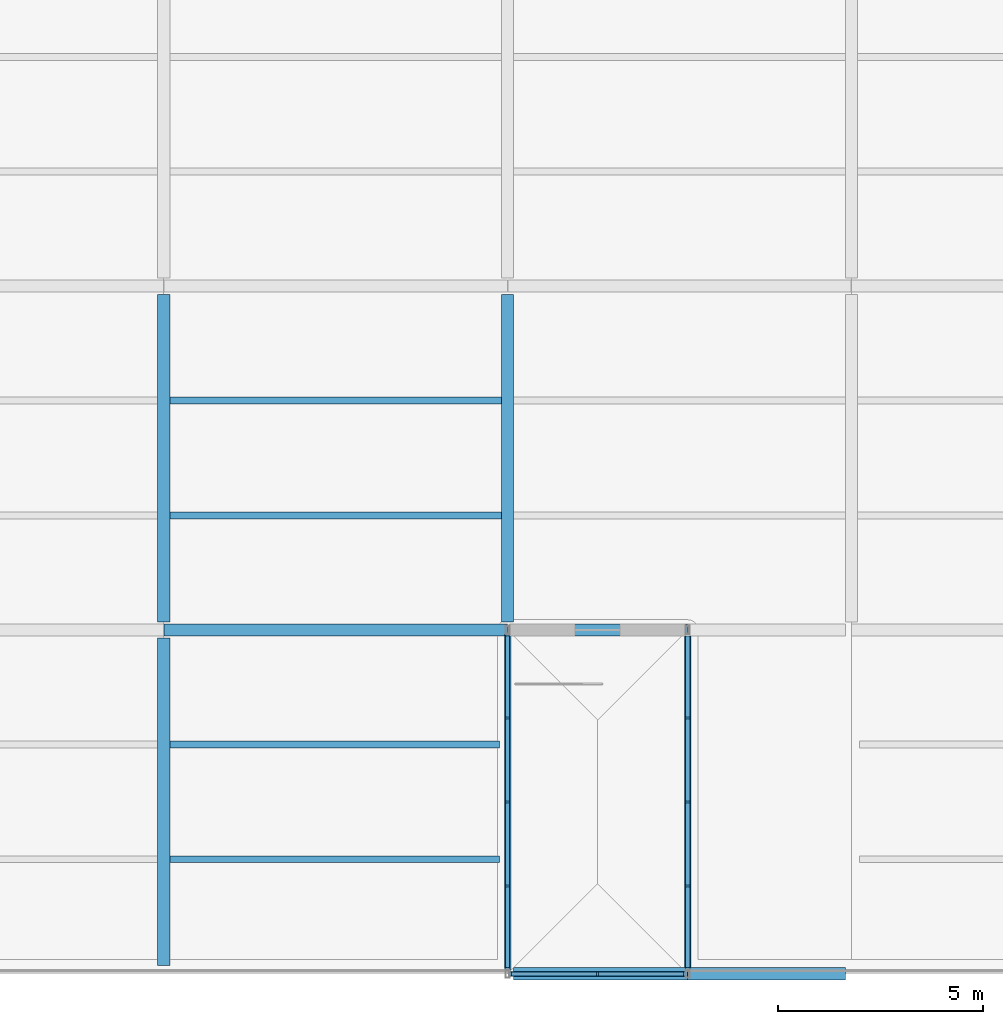
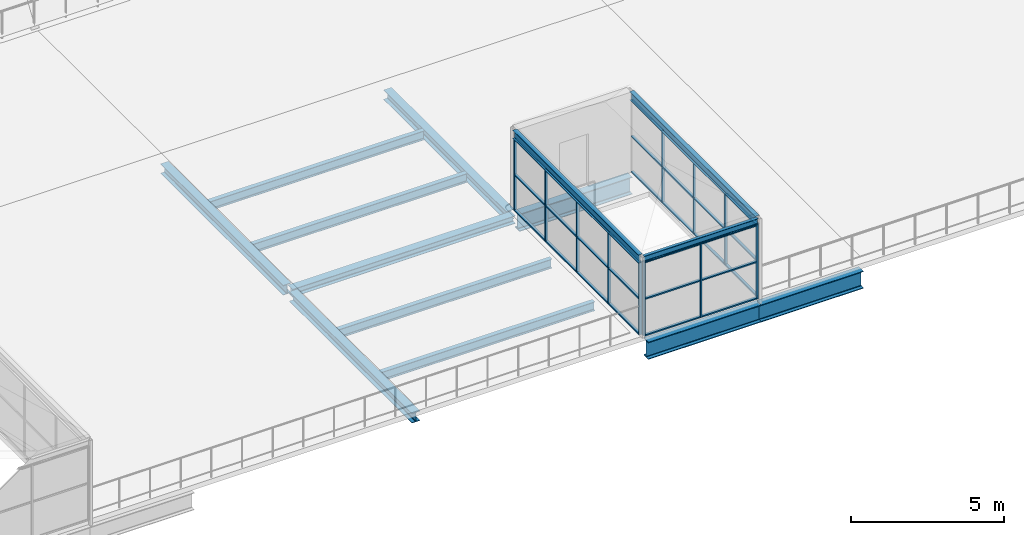
# One storey, part 22 of 58: 42 members, 14 beams, 3 elements without a shape of their own.
"""IFC4 building model written with IfcOpenShell, lengths in metres."""

from ifc_helpers import new_model, si_unit, direction, frame, origin, origin_2d, place, context, subcontext, project, spatial, rectangle, i_section, extrude, material, layer, layer_set, material_profile, profile_set, type_object, element, aggregate, save


model = new_model("IFC4")

# Units and contexts
model_context = context("Model", 3, precision=1e-05, world=origin(), true_north=direction((0.0, 1.0)))
body_context = subcontext(model_context, "Body", "Model", "MODEL_VIEW")
ifc_project = project(units=[si_unit("LENGTHUNIT", "METRE"), si_unit("AREAUNIT", "SQUARE_METRE"), si_unit("VOLUMEUNIT", "CUBIC_METRE"), si_unit("PLANEANGLEUNIT", "RADIAN"), si_unit("MASSUNIT", "GRAM", prefix="KILO")], contexts=[model_context])

# Site, building, storey
site_placement = place(None, origin())
site = spatial("IfcSite", under=ifc_project, at=site_placement, CompositionType="ELEMENT")
building_placement = place(site_placement, origin())
building = spatial("IfcBuilding", under=site, at=building_placement, Name="Galleria Vessillo Department Store", CompositionType="ELEMENT")
storey_placement = place(building_placement, frame((0.0, 0.0, 31.199951171875)))
storey = spatial("IfcBuildingStorey", under=building, at=storey_placement, Name="L06", CompositionType="ELEMENT", Elevation=31.199951171875)

# Curtain wall, members
ifc_material_1 = material(Name="Aluminium and glass curtain wall", Category="aluminium")
ifc_layer = layer(ifc_material_1, 0.10009765625)
ifc_layer_set = layer_set([ifc_layer], Name="Aluminium and glass curtain wall")
curtain_wall_type = type_object("IfcCurtainWallType", Name="Pavilion curtain wall CW5 2100 module", PredefinedType="NOTDEFINED", material=ifc_layer_set)
curtain_wall_1_placement = place(storey_placement, origin())
curtain_wall_1 = element("IfcCurtainWall", 1, at=curtain_wall_1_placement, inside=storey, type_object=curtain_wall_type, Name="Pavilion curtain wall CW5 2100 module PV-ST5-A", PredefinedType="NOTDEFINED")
ifc_material_2 = material(Name="Aluminium alloy 6063 T6", Category="aluminium")
ifc_material_profile_1 = material_profile(ifc_material_2, rectangle(XDim=0.10009765625, YDim=0.050048828125, at=origin_2d()), Name="AL 50x100")
ifc_profile_set_1 = profile_set([ifc_material_profile_1], Name="Aluminium alloy 6063 T6")
member_type_1 = type_object("IfcMemberType", Name="Aluminium mullion 50 x 100", PredefinedType="MULLION", material=ifc_profile_set_1)
member_1_placement = place(storey_placement, frame((75.60009765625, 0.125, 0.0), z_axis=(0.0, 0.0, 1.0), x_axis=(-1.0, 0.0, 0.0)))
member_1 = element("IfcMember", 2, at=member_1_placement, type_object=member_type_1, Name="CW5 mullion 1", PredefinedType="MULLION", context=body_context, shape_type="SweptSolid", body=[
    extrude(rectangle(XDim=0.10009765625, YDim=0.050048828125, at=origin_2d()), origin(), (0.0, 0.0, 1.0), 2.8701171875),
])
member_2_placement = place(storey_placement, frame((75.60009765625, 2.14990234375, 0.0), z_axis=(0.0, 0.0, 1.0), x_axis=(-1.0, 0.0, 0.0)))
member_2 = element("IfcMember", 3, at=member_2_placement, type_object=member_type_1, Name="CW5 mullion 2", PredefinedType="MULLION", context=body_context, shape_type="SweptSolid", body=[
    extrude(rectangle(XDim=0.10009765625, YDim=0.050048828125, at=origin_2d()), origin(), (0.0, 0.0, 1.0), 2.8701171875),
])
member_3_placement = place(storey_placement, frame((75.60009765625, 4.199951171875, 0.0), z_axis=(0.0, 0.0, 1.0), x_axis=(-1.0, 0.0, 0.0)))
member_3 = element("IfcMember", 4, at=member_3_placement, type_object=member_type_1, Name="CW5 mullion 3", PredefinedType="MULLION", context=body_context, shape_type="SweptSolid", body=[
    extrude(rectangle(XDim=0.10009765625, YDim=0.050048828125, at=origin_2d()), origin(), (0.0, 0.0, 1.0), 2.8701171875),
])
member_4_placement = place(storey_placement, frame((75.60009765625, 6.25, 0.0), z_axis=(0.0, 0.0, 1.0), x_axis=(-1.0, 0.0, 0.0)))
member_4 = element("IfcMember", 5, at=member_4_placement, type_object=member_type_1, Name="CW5 mullion 4", PredefinedType="MULLION", context=body_context, shape_type="SweptSolid", body=[
    extrude(rectangle(XDim=0.10009765625, YDim=0.050048828125, at=origin_2d()), origin(), (0.0, 0.0, 1.0), 2.8701171875),
])
member_5_placement = place(storey_placement, frame((75.60009765625, 8.27490234375, 0.0), z_axis=(0.0, 0.0, 1.0), x_axis=(-1.0, 0.0, 0.0)))
member_5 = element("IfcMember", 6, at=member_5_placement, type_object=member_type_1, Name="CW5 mullion 5", PredefinedType="MULLION", context=body_context, shape_type="SweptSolid", body=[
    extrude(rectangle(XDim=0.10009765625, YDim=0.050048828125, at=origin_2d()), origin(), (0.0, 0.0, 1.0), 2.8701171875),
])

curtain_wall_2_placement = place(storey_placement, origin())
curtain_wall_2 = element("IfcCurtainWall", 7, at=curtain_wall_2_placement, inside=storey, type_object=curtain_wall_type, Name="Pavilion curtain wall CW5 2100 module PV-ST5-B", PredefinedType="NOTDEFINED")
member_6_placement = place(storey_placement, frame((80.0, 0.125, 0.0), z_axis=(0.0, 0.0, 1.0), x_axis=(-1.0, 0.0, 0.0)))
member_6 = element("IfcMember", 8, at=member_6_placement, type_object=member_type_1, Name="CW5 mullion 1", PredefinedType="MULLION", context=body_context, shape_type="SweptSolid", body=[
    extrude(rectangle(XDim=0.10009765625, YDim=0.050048828125, at=origin_2d()), origin(), (0.0, 0.0, 1.0), 2.8701171875),
])
member_7_placement = place(storey_placement, frame((80.0, 2.14990234375, 0.0), z_axis=(0.0, 0.0, 1.0), x_axis=(-1.0, 0.0, 0.0)))
member_7 = element("IfcMember", 9, at=member_7_placement, type_object=member_type_1, Name="CW5 mullion 2", PredefinedType="MULLION", context=body_context, shape_type="SweptSolid", body=[
    extrude(rectangle(XDim=0.10009765625, YDim=0.050048828125, at=origin_2d()), origin(), (0.0, 0.0, 1.0), 2.8701171875),
])
member_8_placement = place(storey_placement, frame((80.0, 4.199951171875, 0.0), z_axis=(0.0, 0.0, 1.0), x_axis=(-1.0, 0.0, 0.0)))
member_8 = element("IfcMember", 10, at=member_8_placement, type_object=member_type_1, Name="CW5 mullion 3", PredefinedType="MULLION", context=body_context, shape_type="SweptSolid", body=[
    extrude(rectangle(XDim=0.10009765625, YDim=0.050048828125, at=origin_2d()), origin(), (0.0, 0.0, 1.0), 2.8701171875),
])
member_9_placement = place(storey_placement, frame((80.0, 6.25, 0.0), z_axis=(0.0, 0.0, 1.0), x_axis=(-1.0, 0.0, 0.0)))
member_9 = element("IfcMember", 11, at=member_9_placement, type_object=member_type_1, Name="CW5 mullion 4", PredefinedType="MULLION", context=body_context, shape_type="SweptSolid", body=[
    extrude(rectangle(XDim=0.10009765625, YDim=0.050048828125, at=origin_2d()), origin(), (0.0, 0.0, 1.0), 2.8701171875),
])

curtain_wall_3_placement = place(storey_placement, origin())
curtain_wall_3 = element("IfcCurtainWall", 12, at=curtain_wall_3_placement, inside=storey, type_object=curtain_wall_type, Name="Pavilion curtain wall CW5 2100 module PV-ST5-F", PredefinedType="NOTDEFINED")
member_10_placement = place(storey_placement, frame((75.675048828125, 0.0, 0.0), z_axis=(0.0, 0.0, 1.0), x_axis=(0.0, 1.0, 0.0)))
member_10 = element("IfcMember", 13, at=member_10_placement, type_object=member_type_1, Name="CW5 mullion 1", PredefinedType="MULLION", context=body_context, shape_type="SweptSolid", body=[
    extrude(rectangle(XDim=0.10009765625, YDim=0.050048828125, at=origin_2d()), origin(), (0.0, 0.0, 1.0), 2.960205078125),
])
member_11_placement = place(storey_placement, frame((77.800048828125, 0.0, 0.0), z_axis=(0.0, 0.0, 1.0), x_axis=(0.0, 1.0, 0.0)))
member_11 = element("IfcMember", 14, at=member_11_placement, type_object=member_type_1, Name="CW5 mullion 2", PredefinedType="MULLION", context=body_context, shape_type="SweptSolid", body=[
    extrude(rectangle(XDim=0.10009765625, YDim=0.050048828125, at=origin_2d()), origin(), (0.0, 0.0, 1.0), 2.960205078125),
])
member_12_placement = place(storey_placement, frame((79.925048828125, 0.0, 0.0), z_axis=(0.0, 0.0, 1.0), x_axis=(0.0, 1.0, 0.0)))
member_12 = element("IfcMember", 15, at=member_12_placement, type_object=member_type_1, Name="CW5 mullion 3", PredefinedType="MULLION", context=body_context, shape_type="SweptSolid", body=[
    extrude(rectangle(XDim=0.10009765625, YDim=0.050048828125, at=origin_2d()), origin(), (0.0, 0.0, 1.0), 2.960205078125),
])

# Member
ifc_material_3 = material(Name="Aluminium alloy 6063 T6", Category="aluminium")
ifc_material_profile_2 = material_profile(ifc_material_3, rectangle(XDim=0.10009765625, YDim=0.050048828125, at=origin_2d()), Name="AL 50x100")
ifc_profile_set_2 = profile_set([ifc_material_profile_2], Name="Aluminium alloy 6063 T6")
member_type_2 = type_object("IfcMemberType", Name="Aluminium transom 50 x 100", PredefinedType="USERDEFINED", material=ifc_profile_set_2)
member_13_placement = place(storey_placement, frame((75.60009765625, 0.14990234375, 0.025146484375), z_axis=(0.0, 1.0, 0.0), x_axis=(-1.0, 0.0, 0.0)))
member_13 = element("IfcMember", 16, at=member_13_placement, type_object=member_type_2, Name="CW5 transom 1.1", ObjectType="TRANSOM", PredefinedType="USERDEFINED", context=body_context, shape_type="SweptSolid", body=[
    extrude(rectangle(XDim=0.10009765625, YDim=0.050048828125, at=origin_2d()), origin(), (0.0, 0.0, 1.0), 1.97509765625),
])

member_14_placement = place(storey_placement, frame((75.60009765625, 0.14990234375, 1.43505859375), z_axis=(0.0, 1.0, 0.0), x_axis=(-1.0, 0.0, 0.0)))
member_14 = element("IfcMember", 17, at=member_14_placement, type_object=member_type_2, Name="CW5 transom 1.2", ObjectType="TRANSOM", PredefinedType="USERDEFINED", context=body_context, shape_type="SweptSolid", body=[
    extrude(rectangle(XDim=0.10009765625, YDim=0.050048828125, at=origin_2d()), origin(), (0.0, 0.0, 1.0), 1.97509765625),
])

member_15_placement = place(storey_placement, frame((75.60009765625, 0.14990234375, 2.84521484375), z_axis=(0.0, 1.0, 0.0), x_axis=(-1.0, 0.0, 0.0)))
member_15 = element("IfcMember", 18, at=member_15_placement, type_object=member_type_2, Name="CW5 transom 1.3", ObjectType="TRANSOM", PredefinedType="USERDEFINED", context=body_context, shape_type="SweptSolid", body=[
    extrude(rectangle(XDim=0.10009765625, YDim=0.050048828125, at=origin_2d()), origin(), (0.0, 0.0, 1.0), 1.97509765625),
])

member_16_placement = place(storey_placement, frame((75.60009765625, 2.175048828125, 0.025146484375), z_axis=(0.0, 1.0, 0.0), x_axis=(-1.0, 0.0, 0.0)))
member_16 = element("IfcMember", 19, at=member_16_placement, type_object=member_type_2, Name="CW5 transom 2.1", ObjectType="TRANSOM", PredefinedType="USERDEFINED", context=body_context, shape_type="SweptSolid", body=[
    extrude(rectangle(XDim=0.10009765625, YDim=0.050048828125, at=origin_2d()), origin(), (0.0, 0.0, 1.0), 2.0),
])

member_17_placement = place(storey_placement, frame((75.60009765625, 2.175048828125, 1.43505859375), z_axis=(0.0, 1.0, 0.0), x_axis=(-1.0, 0.0, 0.0)))
member_17 = element("IfcMember", 20, at=member_17_placement, type_object=member_type_2, Name="CW5 transom 2.2", ObjectType="TRANSOM", PredefinedType="USERDEFINED", context=body_context, shape_type="SweptSolid", body=[
    extrude(rectangle(XDim=0.10009765625, YDim=0.050048828125, at=origin_2d()), origin(), (0.0, 0.0, 1.0), 2.0),
])

member_18_placement = place(storey_placement, frame((75.60009765625, 2.175048828125, 2.84521484375), z_axis=(0.0, 1.0, 0.0), x_axis=(-1.0, 0.0, 0.0)))
member_18 = element("IfcMember", 21, at=member_18_placement, type_object=member_type_2, Name="CW5 transom 2.3", ObjectType="TRANSOM", PredefinedType="USERDEFINED", context=body_context, shape_type="SweptSolid", body=[
    extrude(rectangle(XDim=0.10009765625, YDim=0.050048828125, at=origin_2d()), origin(), (0.0, 0.0, 1.0), 2.0),
])

member_19_placement = place(storey_placement, frame((75.60009765625, 4.224853515625, 0.025146484375), z_axis=(0.0, 1.0, 0.0), x_axis=(-1.0, 0.0, 0.0)))
member_19 = element("IfcMember", 22, at=member_19_placement, type_object=member_type_2, Name="CW5 transom 3.1", ObjectType="TRANSOM", PredefinedType="USERDEFINED", context=body_context, shape_type="SweptSolid", body=[
    extrude(rectangle(XDim=0.10009765625, YDim=0.050048828125, at=origin_2d()), origin(), (0.0, 0.0, 1.0), 2.0),
])

member_20_placement = place(storey_placement, frame((75.60009765625, 4.224853515625, 1.43505859375), z_axis=(0.0, 1.0, 0.0), x_axis=(-1.0, 0.0, 0.0)))
member_20 = element("IfcMember", 23, at=member_20_placement, type_object=member_type_2, Name="CW5 transom 3.2", ObjectType="TRANSOM", PredefinedType="USERDEFINED", context=body_context, shape_type="SweptSolid", body=[
    extrude(rectangle(XDim=0.10009765625, YDim=0.050048828125, at=origin_2d()), origin(), (0.0, 0.0, 1.0), 2.0),
])

member_21_placement = place(storey_placement, frame((75.60009765625, 4.224853515625, 2.84521484375), z_axis=(0.0, 1.0, 0.0), x_axis=(-1.0, 0.0, 0.0)))
member_21 = element("IfcMember", 24, at=member_21_placement, type_object=member_type_2, Name="CW5 transom 3.3", ObjectType="TRANSOM", PredefinedType="USERDEFINED", context=body_context, shape_type="SweptSolid", body=[
    extrude(rectangle(XDim=0.10009765625, YDim=0.050048828125, at=origin_2d()), origin(), (0.0, 0.0, 1.0), 2.0),
])

member_22_placement = place(storey_placement, frame((75.60009765625, 6.27490234375, 0.025146484375), z_axis=(0.0, 1.0, 0.0), x_axis=(-1.0, 0.0, 0.0)))
member_22 = element("IfcMember", 25, at=member_22_placement, type_object=member_type_2, Name="CW5 transom 4.1", ObjectType="TRANSOM", PredefinedType="USERDEFINED", context=body_context, shape_type="SweptSolid", body=[
    extrude(rectangle(XDim=0.10009765625, YDim=0.050048828125, at=origin_2d()), origin(), (0.0, 0.0, 1.0), 1.97509765625),
])

member_23_placement = place(storey_placement, frame((75.60009765625, 6.27490234375, 1.43505859375), z_axis=(0.0, 1.0, 0.0), x_axis=(-1.0, 0.0, 0.0)))
member_23 = element("IfcMember", 26, at=member_23_placement, type_object=member_type_2, Name="CW5 transom 4.2", ObjectType="TRANSOM", PredefinedType="USERDEFINED", context=body_context, shape_type="SweptSolid", body=[
    extrude(rectangle(XDim=0.10009765625, YDim=0.050048828125, at=origin_2d()), origin(), (0.0, 0.0, 1.0), 1.97509765625),
])

member_24_placement = place(storey_placement, frame((75.60009765625, 6.27490234375, 2.84521484375), z_axis=(0.0, 1.0, 0.0), x_axis=(-1.0, 0.0, 0.0)))
member_24 = element("IfcMember", 27, at=member_24_placement, type_object=member_type_2, Name="CW5 transom 4.3", ObjectType="TRANSOM", PredefinedType="USERDEFINED", context=body_context, shape_type="SweptSolid", body=[
    extrude(rectangle(XDim=0.10009765625, YDim=0.050048828125, at=origin_2d()), origin(), (0.0, 0.0, 1.0), 1.97509765625),
])

aggregate(curtain_wall_1, [member_1, member_2, member_3, member_4, member_5, member_13, member_14, member_15, member_16, member_17, member_18, member_19, member_20, member_21, member_22, member_23, member_24])

member_25_placement = place(storey_placement, frame((80.0, 0.14990234375, 0.025146484375), z_axis=(0.0, 1.0, 0.0), x_axis=(-1.0, 0.0, 0.0)))
member_25 = element("IfcMember", 28, at=member_25_placement, type_object=member_type_2, Name="CW5 transom 1.1", ObjectType="TRANSOM", PredefinedType="USERDEFINED", context=body_context, shape_type="SweptSolid", body=[
    extrude(rectangle(XDim=0.10009765625, YDim=0.050048828125, at=origin_2d()), origin(), (0.0, 0.0, 1.0), 1.97509765625),
])

member_26_placement = place(storey_placement, frame((80.0, 0.14990234375, 1.43505859375), z_axis=(0.0, 1.0, 0.0), x_axis=(-1.0, 0.0, 0.0)))
member_26 = element("IfcMember", 29, at=member_26_placement, type_object=member_type_2, Name="CW5 transom 1.2", ObjectType="TRANSOM", PredefinedType="USERDEFINED", context=body_context, shape_type="SweptSolid", body=[
    extrude(rectangle(XDim=0.10009765625, YDim=0.050048828125, at=origin_2d()), origin(), (0.0, 0.0, 1.0), 1.97509765625),
])

member_27_placement = place(storey_placement, frame((80.0, 0.14990234375, 2.84521484375), z_axis=(0.0, 1.0, 0.0), x_axis=(-1.0, 0.0, 0.0)))
member_27 = element("IfcMember", 30, at=member_27_placement, type_object=member_type_2, Name="CW5 transom 1.3", ObjectType="TRANSOM", PredefinedType="USERDEFINED", context=body_context, shape_type="SweptSolid", body=[
    extrude(rectangle(XDim=0.10009765625, YDim=0.050048828125, at=origin_2d()), origin(), (0.0, 0.0, 1.0), 1.97509765625),
])

member_28_placement = place(storey_placement, frame((80.0, 2.175048828125, 0.025146484375), z_axis=(0.0, 1.0, 0.0), x_axis=(-1.0, 0.0, 0.0)))
member_28 = element("IfcMember", 31, at=member_28_placement, type_object=member_type_2, Name="CW5 transom 2.1", ObjectType="TRANSOM", PredefinedType="USERDEFINED", context=body_context, shape_type="SweptSolid", body=[
    extrude(rectangle(XDim=0.10009765625, YDim=0.050048828125, at=origin_2d()), origin(), (0.0, 0.0, 1.0), 2.0),
])

member_29_placement = place(storey_placement, frame((80.0, 2.175048828125, 1.43505859375), z_axis=(0.0, 1.0, 0.0), x_axis=(-1.0, 0.0, 0.0)))
member_29 = element("IfcMember", 32, at=member_29_placement, type_object=member_type_2, Name="CW5 transom 2.2", ObjectType="TRANSOM", PredefinedType="USERDEFINED", context=body_context, shape_type="SweptSolid", body=[
    extrude(rectangle(XDim=0.10009765625, YDim=0.050048828125, at=origin_2d()), origin(), (0.0, 0.0, 1.0), 2.0),
])

member_30_placement = place(storey_placement, frame((80.0, 2.175048828125, 2.84521484375), z_axis=(0.0, 1.0, 0.0), x_axis=(-1.0, 0.0, 0.0)))
member_30 = element("IfcMember", 33, at=member_30_placement, type_object=member_type_2, Name="CW5 transom 2.3", ObjectType="TRANSOM", PredefinedType="USERDEFINED", context=body_context, shape_type="SweptSolid", body=[
    extrude(rectangle(XDim=0.10009765625, YDim=0.050048828125, at=origin_2d()), origin(), (0.0, 0.0, 1.0), 2.0),
])

member_31_placement = place(storey_placement, frame((80.0, 4.224853515625, 0.025146484375), z_axis=(0.0, 1.0, 0.0), x_axis=(-1.0, 0.0, 0.0)))
member_31 = element("IfcMember", 34, at=member_31_placement, type_object=member_type_2, Name="CW5 transom 3.1", ObjectType="TRANSOM", PredefinedType="USERDEFINED", context=body_context, shape_type="SweptSolid", body=[
    extrude(rectangle(XDim=0.10009765625, YDim=0.050048828125, at=origin_2d()), origin(), (0.0, 0.0, 1.0), 2.0),
])

member_32_placement = place(storey_placement, frame((80.0, 4.224853515625, 1.43505859375), z_axis=(0.0, 1.0, 0.0), x_axis=(-1.0, 0.0, 0.0)))
member_32 = element("IfcMember", 35, at=member_32_placement, type_object=member_type_2, Name="CW5 transom 3.2", ObjectType="TRANSOM", PredefinedType="USERDEFINED", context=body_context, shape_type="SweptSolid", body=[
    extrude(rectangle(XDim=0.10009765625, YDim=0.050048828125, at=origin_2d()), origin(), (0.0, 0.0, 1.0), 2.0),
])

member_33_placement = place(storey_placement, frame((80.0, 4.224853515625, 2.84521484375), z_axis=(0.0, 1.0, 0.0), x_axis=(-1.0, 0.0, 0.0)))
member_33 = element("IfcMember", 36, at=member_33_placement, type_object=member_type_2, Name="CW5 transom 3.3", ObjectType="TRANSOM", PredefinedType="USERDEFINED", context=body_context, shape_type="SweptSolid", body=[
    extrude(rectangle(XDim=0.10009765625, YDim=0.050048828125, at=origin_2d()), origin(), (0.0, 0.0, 1.0), 2.0),
])

member_34_placement = place(storey_placement, frame((80.0, 6.27490234375, 0.025146484375), z_axis=(0.0, 1.0, 0.0), x_axis=(-1.0, 0.0, 0.0)))
member_34 = element("IfcMember", 37, at=member_34_placement, type_object=member_type_2, Name="CW5 transom 4.1", ObjectType="TRANSOM", PredefinedType="USERDEFINED", context=body_context, shape_type="SweptSolid", body=[
    extrude(rectangle(XDim=0.10009765625, YDim=0.050048828125, at=origin_2d()), origin(), (0.0, 0.0, 1.0), 1.97509765625),
])

member_35_placement = place(storey_placement, frame((80.0, 6.27490234375, 1.43505859375), z_axis=(0.0, 1.0, 0.0), x_axis=(-1.0, 0.0, 0.0)))
member_35 = element("IfcMember", 38, at=member_35_placement, type_object=member_type_2, Name="CW5 transom 4.2", ObjectType="TRANSOM", PredefinedType="USERDEFINED", context=body_context, shape_type="SweptSolid", body=[
    extrude(rectangle(XDim=0.10009765625, YDim=0.050048828125, at=origin_2d()), origin(), (0.0, 0.0, 1.0), 1.97509765625),
])

member_36_placement = place(storey_placement, frame((80.0, 6.27490234375, 2.84521484375), z_axis=(0.0, 1.0, 0.0), x_axis=(-1.0, 0.0, 0.0)))
member_36 = element("IfcMember", 39, at=member_36_placement, type_object=member_type_2, Name="CW5 transom 4.3", ObjectType="TRANSOM", PredefinedType="USERDEFINED", context=body_context, shape_type="SweptSolid", body=[
    extrude(rectangle(XDim=0.10009765625, YDim=0.050048828125, at=origin_2d()), origin(), (0.0, 0.0, 1.0), 1.97509765625),
])

aggregate(curtain_wall_2, [member_6, member_7, member_8, member_9, member_25, member_26, member_27, member_28, member_29, member_30, member_31, member_32, member_33, member_34, member_35, member_36])

member_37_placement = place(storey_placement, frame((75.7001953125, 0.0, 0.025146484375), z_axis=(1.0, 0.0, 0.0), x_axis=(0.0, 1.0, 0.0)))
member_37 = element("IfcMember", 40, at=member_37_placement, type_object=member_type_2, Name="CW5 transom 1.1", ObjectType="TRANSOM", PredefinedType="USERDEFINED", context=body_context, shape_type="SweptSolid", body=[
    extrude(rectangle(XDim=0.10009765625, YDim=0.050048828125, at=origin_2d()), origin(), (0.0, 0.0, 1.0), 2.074951171875),
])

member_38_placement = place(storey_placement, frame((75.7001953125, 0.0, 1.480224609375), z_axis=(1.0, 0.0, 0.0), x_axis=(0.0, 1.0, 0.0)))
member_38 = element("IfcMember", 41, at=member_38_placement, type_object=member_type_2, Name="CW5 transom 1.2", ObjectType="TRANSOM", PredefinedType="USERDEFINED", context=body_context, shape_type="SweptSolid", body=[
    extrude(rectangle(XDim=0.10009765625, YDim=0.050048828125, at=origin_2d()), origin(), (0.0, 0.0, 1.0), 2.074951171875),
])

member_39_placement = place(storey_placement, frame((75.7001953125, 0.0, 2.935302734375), z_axis=(1.0, 0.0, 0.0), x_axis=(0.0, 1.0, 0.0)))
member_39 = element("IfcMember", 42, at=member_39_placement, type_object=member_type_2, Name="CW5 transom 1.3", ObjectType="TRANSOM", PredefinedType="USERDEFINED", context=body_context, shape_type="SweptSolid", body=[
    extrude(rectangle(XDim=0.10009765625, YDim=0.050048828125, at=origin_2d()), origin(), (0.0, 0.0, 1.0), 2.074951171875),
])

member_40_placement = place(storey_placement, frame((77.824951171875, 0.0, 0.025146484375), z_axis=(1.0, 0.0, 0.0), x_axis=(0.0, 1.0, 0.0)))
member_40 = element("IfcMember", 43, at=member_40_placement, type_object=member_type_2, Name="CW5 transom 2.1", ObjectType="TRANSOM", PredefinedType="USERDEFINED", context=body_context, shape_type="SweptSolid", body=[
    extrude(rectangle(XDim=0.10009765625, YDim=0.050048828125, at=origin_2d()), origin(), (0.0, 0.0, 1.0), 2.074951171875),
])

member_41_placement = place(storey_placement, frame((77.824951171875, 0.0, 1.480224609375), z_axis=(1.0, 0.0, 0.0), x_axis=(0.0, 1.0, 0.0)))
member_41 = element("IfcMember", 44, at=member_41_placement, type_object=member_type_2, Name="CW5 transom 2.2", ObjectType="TRANSOM", PredefinedType="USERDEFINED", context=body_context, shape_type="SweptSolid", body=[
    extrude(rectangle(XDim=0.10009765625, YDim=0.050048828125, at=origin_2d()), origin(), (0.0, 0.0, 1.0), 2.074951171875),
])

member_42_placement = place(storey_placement, frame((77.824951171875, 0.0, 2.935302734375), z_axis=(1.0, 0.0, 0.0), x_axis=(0.0, 1.0, 0.0)))
member_42 = element("IfcMember", 45, at=member_42_placement, type_object=member_type_2, Name="CW5 transom 2.3", ObjectType="TRANSOM", PredefinedType="USERDEFINED", context=body_context, shape_type="SweptSolid", body=[
    extrude(rectangle(XDim=0.10009765625, YDim=0.050048828125, at=origin_2d()), origin(), (0.0, 0.0, 1.0), 2.074951171875),
])

aggregate(curtain_wall_3, [member_10, member_11, member_12, member_37, member_38, member_39, member_40, member_41, member_42])

# Beams
ifc_material_4 = material(Name="Steel S355 J2", Category="steel")
ifc_material_profile_3 = material_profile(ifc_material_4, i_section(OverallWidth=0.300048828125, OverallDepth=0.389892578125, WebThickness=0.010986328125, FlangeThickness=0.01904296875, FilletRadius=0.027099609375, at=origin_2d()), Name="HEA 400")
ifc_profile_set_3 = profile_set([ifc_material_profile_3], Name="Steel S355 J2")
beam_type_1 = type_object("IfcBeamType", Name="Floor girder HEA 400", PredefinedType="BEAM", material=ifc_profile_set_3)
for number, where, z_axis, x_axis, name in (
    (46, (67.199951171875, 0.2001953125, -0.39501953125), (0.0, 1.0, 0.0), (-1.0, 0.0, 0.0), "S-BM-L06-GI-y67200-200"),
    (47, (67.199951171875, 8.60009765625, -0.39501953125), (0.0, 1.0, 0.0), (-1.0, 0.0, 0.0), "S-BM-L06-GI-y67200-8600"),
    (48, (75.60009765625, 8.60009765625, -0.39501953125), (0.0, 1.0, 0.0), (-1.0, 0.0, 0.0), "S-BM-L06-GI-y75600-8600"),
):
    element("IfcBeam", number, at=place(storey_placement, frame(where, z_axis=z_axis, x_axis=x_axis)), inside=storey, type_object=beam_type_1, Name=name, PredefinedType="BEAM", context=body_context, shape_type="SweptSolid", body=[
        extrude(i_section(OverallWidth=0.300048828125, OverallDepth=0.389892578125, WebThickness=0.010986328125, FlangeThickness=0.01904296875, FilletRadius=0.027099609375, at=origin_2d()), origin(), (0.0, 0.0, 1.0), 7.999755859375),
    ])
ifc_material_5 = material(Name="Steel S355 J2", Category="steel")
ifc_material_profile_4 = material_profile(ifc_material_5, i_section(OverallWidth=0.169921875, OverallDepth=0.360107421875, WebThickness=0.008056640625, FlangeThickness=0.0126953125, FilletRadius=0.01806640625, at=origin_2d()), Name="IPE 360")
ifc_profile_set_4 = profile_set([ifc_material_profile_4], Name="Steel S355 J2")
beam_type_2 = type_object("IfcBeamType", Name="Floor joist IPE 360", PredefinedType="JOIST", material=ifc_profile_set_4)
for number, where, z_axis, x_axis, name in (
    (49, (67.35009765625, 2.800048828125, -0.3798828125), (1.0, 0.0, 0.0), (0.0, 1.0, 0.0), "S-BM-L06-JO-x2800-67350"),
    (50, (67.35009765625, 5.60009765625, -0.3798828125), (1.0, 0.0, 0.0), (0.0, 1.0, 0.0), "S-BM-L06-JO-x5600-67350"),
):
    element("IfcBeam", number, at=place(storey_placement, frame(where, z_axis=z_axis, x_axis=x_axis)), inside=storey, type_object=beam_type_2, Name=name, PredefinedType="JOIST", context=body_context, shape_type="SweptSolid", body=[
        extrude(i_section(OverallWidth=0.169921875, OverallDepth=0.360107421875, WebThickness=0.008056640625, FlangeThickness=0.0126953125, FilletRadius=0.01806640625, at=origin_2d()), origin(), (0.0, 0.0, 1.0), 8.0498046875),
    ])
for number, where, z_axis, x_axis, name in (
    (51, (67.35009765625, 11.199951171875, -0.3798828125), (1.0, 0.0, 0.0), (0.0, 1.0, 0.0), "S-BM-L06-JO-x11200-67350"),
    (52, (67.35009765625, 14.0, -0.3798828125), (1.0, 0.0, 0.0), (0.0, 1.0, 0.0), "S-BM-L06-JO-x14000-67350"),
):
    element("IfcBeam", number, at=place(storey_placement, frame(where, z_axis=z_axis, x_axis=x_axis)), inside=storey, type_object=beam_type_2, Name=name, PredefinedType="JOIST", context=body_context, shape_type="SweptSolid", body=[
        extrude(i_section(OverallWidth=0.169921875, OverallDepth=0.360107421875, WebThickness=0.008056640625, FlangeThickness=0.0126953125, FilletRadius=0.01806640625, at=origin_2d()), origin(), (0.0, 0.0, 1.0), 8.099853515625),
    ])
ifc_material_6 = material(Name="Steel S355 J2", Category="steel")
ifc_material_profile_5 = material_profile(ifc_material_6, i_section(OverallWidth=0.300048828125, OverallDepth=0.31005859375, WebThickness=0.009033203125, FlangeThickness=0.015380859375, FilletRadius=0.027099609375, at=origin_2d()), Name="HEA 320")
ifc_profile_set_5 = profile_set([ifc_material_profile_5], Name="Steel S355 J2")
beam_type_3 = type_object("IfcBeamType", Name="Floor tie girder HEA 320", PredefinedType="BEAM", material=ifc_profile_set_5)
beam_1_placement = place(storey_placement, frame((67.206787109375, 8.39990234375, -0.35498046875), z_axis=(1.0, 0.0, 0.0), x_axis=(0.0, 1.0, 0.0)))
element("IfcBeam", 53, at=beam_1_placement, inside=storey, type_object=beam_type_3, Name="S-BM-L06-TI-x8400-67207", PredefinedType="BEAM", context=body_context, shape_type="SweptSolid", body=[
    extrude(i_section(OverallWidth=0.300048828125, OverallDepth=0.31005859375, WebThickness=0.009033203125, FlangeThickness=0.015380859375, FilletRadius=0.027099609375, at=origin_2d()), origin(), (0.0, 0.0, 1.0), 8.38623046875),
])
ifc_material_7 = material(Name="Steel S355 J2", Category="steel")
ifc_material_profile_6 = material_profile(ifc_material_7, i_section(OverallWidth=0.300048828125, OverallDepth=0.68994140625, WebThickness=0.014404296875, FlangeThickness=0.027099609375, FilletRadius=0.027099609375, at=origin_2d()), Name="HEA 700")
ifc_profile_set_6 = profile_set([ifc_material_profile_6], Name="Steel S355 J2")
beam_type_4 = type_object("IfcBeamType", Name="Pavilion base beam HEA 700", PredefinedType="BEAM", material=ifc_profile_set_6)
beam_2_placement = place(storey_placement, frame((75.750244140625, 0.0, -0.544921875), z_axis=(1.0, 0.0, 0.0), x_axis=(0.0, 1.0, 0.0)))
element("IfcBeam", 54, at=beam_2_placement, inside=storey, type_object=beam_type_4, Name="S-BB-ST5-PE1", PredefinedType="BEAM", context=body_context, shape_type="SweptSolid", body=[
    extrude(i_section(OverallWidth=0.300048828125, OverallDepth=0.68994140625, WebThickness=0.014404296875, FlangeThickness=0.027099609375, FilletRadius=0.027099609375, at=origin_2d()), origin(), (0.0, 0.0, 1.0), 4.24951171875),
])
beam_3_placement = place(storey_placement, frame((80.000244140625, 0.0, -0.544921875), z_axis=(1.0, 0.0, 0.0), x_axis=(0.0, 1.0, 0.0)))
element("IfcBeam", 55, at=beam_3_placement, inside=storey, type_object=beam_type_4, Name="S-BB-ST5-PE2", PredefinedType="BEAM", context=body_context, shape_type="SweptSolid", body=[
    extrude(i_section(OverallWidth=0.300048828125, OverallDepth=0.68994140625, WebThickness=0.014404296875, FlangeThickness=0.027099609375, FilletRadius=0.027099609375, at=origin_2d()), origin(), (0.0, 0.0, 1.0), 3.849609375),
])
beam_4_placement = place(storey_placement, frame((75.750244140625, 8.39990234375, -0.544921875), z_axis=(1.0, 0.0, 0.0), x_axis=(0.0, 1.0, 0.0)))
element("IfcBeam", 56, at=beam_4_placement, inside=storey, type_object=beam_type_4, Name="S-BB-ST5-DE1", PredefinedType="BEAM", context=body_context, shape_type="SweptSolid", body=[
    extrude(i_section(OverallWidth=0.300048828125, OverallDepth=0.68994140625, WebThickness=0.014404296875, FlangeThickness=0.027099609375, FilletRadius=0.027099609375, at=origin_2d()), origin(), (0.0, 0.0, 1.0), 4.24951171875),
])
ifc_material_8 = material(Name="Steel S355 J2", Category="steel")
ifc_material_profile_7 = material_profile(ifc_material_8, i_section(OverallWidth=0.1201171875, OverallDepth=0.239990234375, WebThickness=0.006103515625, FlangeThickness=0.009765625, FilletRadius=0.014892578125, at=origin_2d()), Name="IPE 240")
ifc_profile_set_7 = profile_set([ifc_material_profile_7], Name="Steel S355 J2")
beam_type_5 = type_object("IfcBeamType", Name="Roof end beam IPE 240", PredefinedType="BEAM", material=ifc_profile_set_7)
beam_5_placement = place(storey_placement, frame((75.650146484375, 0.0, 3.080078125), z_axis=(1.0, 0.0, 0.0), x_axis=(0.0, 1.0, 0.0)))
element("IfcBeam", 57, at=beam_5_placement, inside=storey, type_object=beam_type_5, Name="S-RB-ST5-P", PredefinedType="BEAM", context=body_context, shape_type="SweptSolid", body=[
    extrude(i_section(OverallWidth=0.1201171875, OverallDepth=0.239990234375, WebThickness=0.006103515625, FlangeThickness=0.009765625, FilletRadius=0.014892578125, at=origin_2d()), origin(), (0.0, 0.0, 1.0), 4.2998046875),
])
ifc_material_9 = material(Name="Steel S355 J2", Category="steel")
ifc_material_profile_8 = material_profile(ifc_material_9, i_section(OverallWidth=0.159912109375, OverallDepth=0.330078125, WebThickness=0.007568359375, FlangeThickness=0.011474609375, FilletRadius=0.01806640625, at=origin_2d()), Name="IPE 330")
ifc_profile_set_8 = profile_set([ifc_material_profile_8], Name="Steel S355 J2")
beam_type_6 = type_object("IfcBeamType", Name="Roof side beam IPE 330", PredefinedType="BEAM", material=ifc_profile_set_8)
for number, where, z_axis, x_axis, name in (
    (58, (75.60009765625, 0.10009765625, 3.03515625), (0.0, 1.0, 0.0), (-1.0, 0.0, 0.0), "S-RB-ST5-W"),
    (59, (80.0, 0.10009765625, 3.03515625), (0.0, 1.0, 0.0), (-1.0, 0.0, 0.0), "S-RB-ST5-E"),
):
    element("IfcBeam", number, at=place(storey_placement, frame(where, z_axis=z_axis, x_axis=x_axis)), inside=storey, type_object=beam_type_6, Name=name, PredefinedType="BEAM", context=body_context, shape_type="SweptSolid", body=[
        extrude(i_section(OverallWidth=0.159912109375, OverallDepth=0.330078125, WebThickness=0.007568359375, FlangeThickness=0.011474609375, FilletRadius=0.01806640625, at=origin_2d()), origin(), (0.0, 0.0, 1.0), 8.19970703125),
    ])

save(model, "model.ifc")
